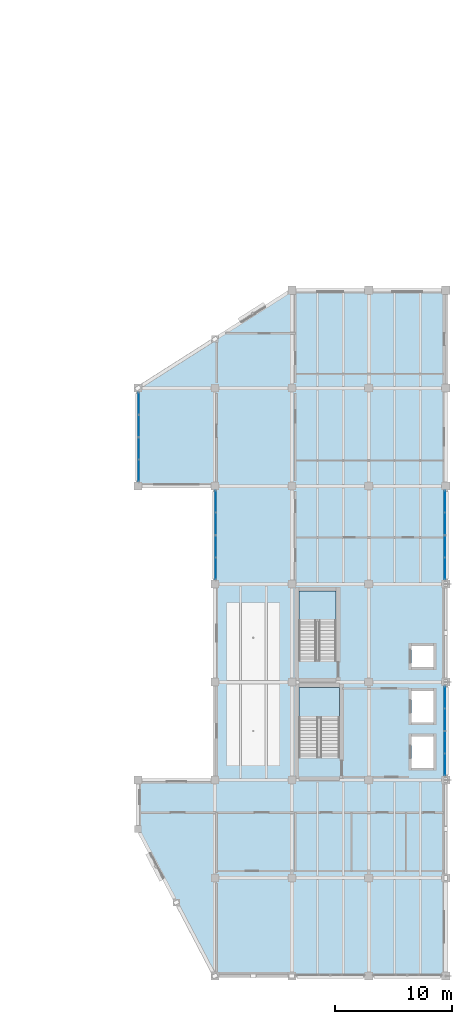
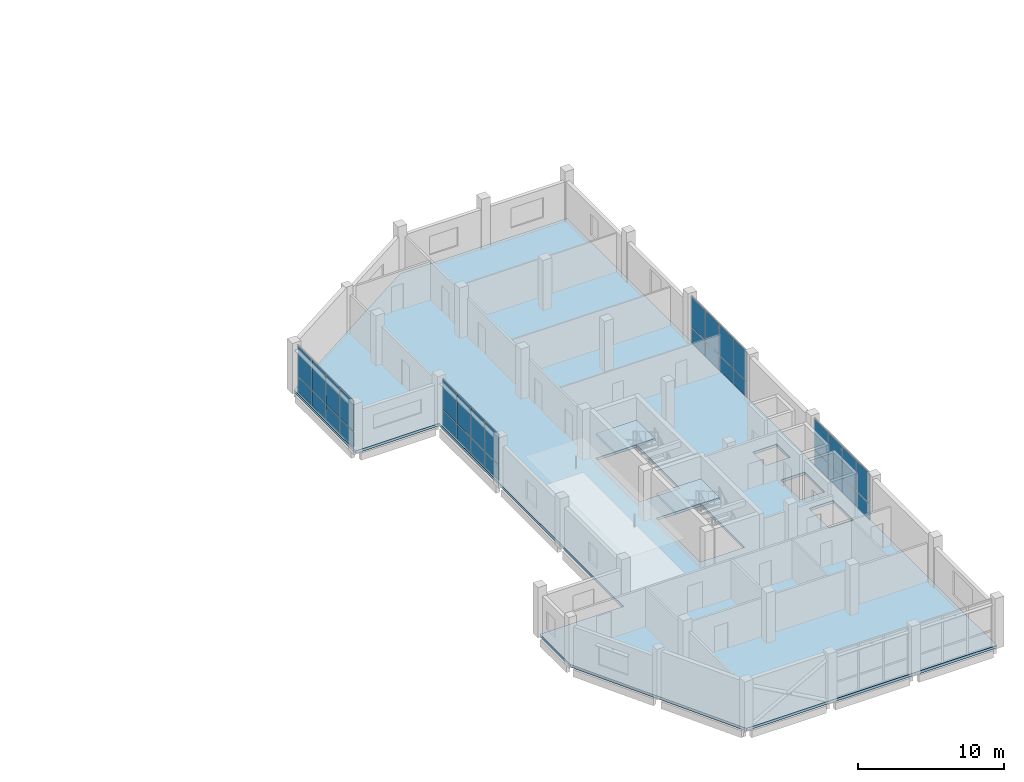
# One storey, part 7 of 19: 32 plates, 3 slabs, 6 elements without a shape of their own.
"""IFC4 building model written with IfcOpenShell, lengths in metres."""

from ifc_helpers import new_model, si_unit, direction, frame, origin, origin_2d, place, context, subcontext, project, spatial, polyline, rectangle, outline, extrude, material, layer, layer_set, type_object, element, aggregate, save


model = new_model("IFC4")

# Units and contexts
model_context = context("Model", 3, precision=1e-05, world=origin(), true_north=direction((0.0, 1.0)))
body_context = subcontext(model_context, "Body", "Model", "MODEL_VIEW")
ifc_project = project(units=[si_unit("LENGTHUNIT", "METRE"), si_unit("AREAUNIT", "SQUARE_METRE"), si_unit("VOLUMEUNIT", "CUBIC_METRE"), si_unit("PLANEANGLEUNIT", "RADIAN"), si_unit("MASSUNIT", "GRAM", prefix="KILO")], contexts=[model_context])

# Site, building, storey
site_placement = place(None, origin())
site = spatial("IfcSite", under=ifc_project, at=site_placement, CompositionType="ELEMENT")
building_placement = place(site_placement, origin())
building = spatial("IfcBuilding", under=site, at=building_placement, Name="Qaldarim Faculty of Natural and Applied Sciences", CompositionType="ELEMENT")
storey_placement = place(building_placement, frame((0.0, 0.0, 27.0)))
storey = spatial("IfcBuildingStorey", under=building, at=storey_placement, Name="L06", CompositionType="ELEMENT", Elevation=27.0)

# Slab
ifc_material_1 = material(Name="Concrete C40/50", Category="concrete")
ifc_layer_1 = layer(ifc_material_1, 0.219970703125)
ifc_layer_set_1 = layer_set([ifc_layer_1], Name="Concrete C40/50")
slab_type_1 = type_object("IfcSlabType", Name="ResearchWingSlab-220", PredefinedType="FLOOR", material=ifc_layer_set_1)
slab_1_placement = place(storey_placement, frame((0.0, 0.0, -0.219970703125)))
element("IfcSlab", 1, at=slab_1_placement, inside=storey, type_object=slab_type_1, Name="Floor slab L06 V5", PredefinedType="FLOOR", context=body_context, shape_type="SweptSolid", body=[
    extrude(outline(polyline([(158.39990234375, 0.0), (178.199951171875, 0.0), (178.199951171875, 58.800048828125), (165.0, 58.800048828125), (151.800048828125, 50.39990234375), (151.800048828125, 42.0), (158.39990234375, 42.0), (158.39990234375, 16.800048828125), (151.800048828125, 16.800048828125), (151.800048828125, 12.60009765625), (158.39990234375, 0.0)]), holes=[polyline([(169.10009765625, 18.764892578125), (169.10009765625, 24.77490234375), (165.60009765625, 24.77490234375), (165.60009765625, 18.764892578125), (169.10009765625, 18.764892578125)]), polyline([(168.800048828125, 27.06494140625), (168.800048828125, 33.02490234375), (165.60009765625, 33.02490234375), (165.60009765625, 27.06494140625), (168.800048828125, 27.06494140625)]), polyline([(175.25, 17.85009765625), (177.14990234375, 17.85009765625), (177.14990234375, 20.550048828125), (175.25, 20.550048828125), (175.25, 17.85009765625)]), polyline([(175.25, 21.75), (177.14990234375, 21.75), (177.14990234375, 24.449951171875), (175.25, 24.449951171875), (175.25, 21.75)]), polyline([(175.25, 26.5), (177.14990234375, 26.5), (177.14990234375, 28.300048828125), (175.25, 28.300048828125), (175.25, 26.5)])]), origin(), (0.0, 0.0, 1.0), 0.219970703125),
])

# Stair, slab
stair_type_1 = type_object("IfcStairType", Name="DoglegStair-W1650-H4200-26R", PredefinedType="HALF_TURN_STAIR", material=ifc_material_1)
stair_1_placement = place(storey_placement, origin())
stair_1 = element("IfcStair", 2, at=stair_1_placement, inside=storey, type_object=stair_type_1, Name="Enclosed exit stair ST-A1 L06", PredefinedType="HALF_TURN_STAIR")
ifc_layer_2 = layer(ifc_material_1, 0.2099609375)
ifc_layer_set_2 = layer_set([ifc_layer_2], Name="Concrete C40/50")
slab_type_2 = type_object("IfcSlabType", Name="StairLandingSlab-210", PredefinedType="LANDING", material=ifc_layer_set_2)
slab_2_placement = place(storey_placement, frame((0.0, 0.0, 1.889892578125)))
slab_2 = element("IfcSlab", 3, at=slab_2_placement, type_object=slab_type_2, Name="ST-A1 L06 half-landing 1", PredefinedType="LANDING", context=body_context, shape_type="SweptSolid", body=[
    extrude(outline(polyline([(169.10009765625, 22.155029296875), (169.10009765625, 24.75), (165.60009765625, 24.75), (165.60009765625, 22.155029296875), (169.10009765625, 22.155029296875)])), origin(), (0.0, 0.0, 1.0), 0.210205078125),
])
aggregate(stair_1, [slab_2])

stair_type_2 = type_object("IfcStairType", Name="DoglegStair-W1500-H4200-26R", PredefinedType="HALF_TURN_STAIR", material=ifc_material_1)
stair_2_placement = place(storey_placement, origin())
stair_2 = element("IfcStair", 4, at=stair_2_placement, inside=storey, type_object=stair_type_2, Name="Enclosed exit stair ST-A2 L06", PredefinedType="HALF_TURN_STAIR")
slab_3_placement = place(storey_placement, frame((0.0, 0.0, 1.889892578125)))
slab_3 = element("IfcSlab", 5, at=slab_3_placement, type_object=slab_type_2, Name="ST-A2 L06 half-landing 1", PredefinedType="LANDING", context=body_context, shape_type="SweptSolid", body=[
    extrude(outline(polyline([(168.800048828125, 30.455078125), (168.800048828125, 33.0), (165.60009765625, 33.0), (165.60009765625, 30.455078125), (168.800048828125, 30.455078125)])), origin(), (0.0, 0.0, 1.0), 0.210205078125),
])
aggregate(stair_2, [slab_3])

# Curtain wall, plates
ifc_material_2 = material(Name="Anodised aluminium AW-6063", Category="aluminium")
curtain_wall_type = type_object("IfcCurtainWallType", Name="CurtainWallSystem-M1800", PredefinedType="USERDEFINED", material=ifc_material_2)
curtain_wall_1_placement = place(storey_placement, origin())
curtain_wall_1 = element("IfcCurtainWall", 6, at=curtain_wall_1_placement, inside=storey, type_object=curtain_wall_type, Name="Curtain wall CW-L06-W-X24Y06", ObjectType="UNITISED FACADE", PredefinedType="USERDEFINED")
ifc_material_3 = material(Name="Insulated low-e double glazing", Category="glass")
ifc_layer_3 = layer(ifc_material_3, 0.028076171875)
ifc_layer_set_3 = layer_set([ifc_layer_3], Name="Insulated low-e double glazing")
plate_type = type_object("IfcPlateType", Name="VisionGlazingPanel-28", PredefinedType="CURTAIN_PANEL", material=ifc_layer_set_3)
plate_1_placement = place(storey_placement, frame((151.8798828125, 49.076416015625, 0.06005859375), z_axis=(0.0, 0.0, 1.0), x_axis=(0.0, -1.0, 0.0)))
plate_1 = element("IfcPlate", 7, at=plate_1_placement, type_object=plate_type, Name="Glazed panel 1-1 of CW-L06-W-X24Y06", PredefinedType="CURTAIN_PANEL", context=body_context, shape_type="SweptSolid", body=[
    extrude(rectangle(XDim=1.83740234375, YDim=0.028076171875, at=origin_2d()), origin(), (0.0, 0.0, 1.0), 1.260009765625),
])
plate_2_placement = place(storey_placement, frame((151.8798828125, 49.076416015625, 1.3798828125), z_axis=(0.0, 0.0, 1.0), x_axis=(0.0, -1.0, 0.0)))
plate_2 = element("IfcPlate", 8, at=plate_2_placement, type_object=plate_type, Name="Glazed panel 1-2 of CW-L06-W-X24Y06", PredefinedType="CURTAIN_PANEL", context=body_context, shape_type="SweptSolid", body=[
    extrude(rectangle(XDim=1.83740234375, YDim=0.028076171875, at=origin_2d()), origin(), (0.0, 0.0, 1.0), 2.5400390625),
])
plate_3_placement = place(storey_placement, frame((151.8798828125, 47.163818359375, 0.06005859375), z_axis=(0.0, 0.0, 1.0), x_axis=(0.0, -1.0, 0.0)))
plate_3 = element("IfcPlate", 9, at=plate_3_placement, type_object=plate_type, Name="Glazed panel 2-1 of CW-L06-W-X24Y06", PredefinedType="CURTAIN_PANEL", context=body_context, shape_type="SweptSolid", body=[
    extrude(rectangle(XDim=1.867431640625, YDim=0.028076171875, at=origin_2d()), origin(), (0.0, 0.0, 1.0), 1.260009765625),
])
plate_4_placement = place(storey_placement, frame((151.8798828125, 47.163818359375, 1.3798828125), z_axis=(0.0, 0.0, 1.0), x_axis=(0.0, -1.0, 0.0)))
plate_4 = element("IfcPlate", 10, at=plate_4_placement, type_object=plate_type, Name="Glazed panel 2-2 of CW-L06-W-X24Y06", PredefinedType="CURTAIN_PANEL", context=body_context, shape_type="SweptSolid", body=[
    extrude(rectangle(XDim=1.867431640625, YDim=0.028076171875, at=origin_2d()), origin(), (0.0, 0.0, 1.0), 2.5400390625),
])
plate_5_placement = place(storey_placement, frame((151.8798828125, 45.236083984375, 0.06005859375), z_axis=(0.0, 0.0, 1.0), x_axis=(0.0, -1.0, 0.0)))
plate_5 = element("IfcPlate", 11, at=plate_5_placement, type_object=plate_type, Name="Glazed panel 3-1 of CW-L06-W-X24Y06", PredefinedType="CURTAIN_PANEL", context=body_context, shape_type="SweptSolid", body=[
    extrude(rectangle(XDim=1.867431640625, YDim=0.028076171875, at=origin_2d()), origin(), (0.0, 0.0, 1.0), 1.260009765625),
])
plate_6_placement = place(storey_placement, frame((151.8798828125, 45.236083984375, 1.3798828125), z_axis=(0.0, 0.0, 1.0), x_axis=(0.0, -1.0, 0.0)))
plate_6 = element("IfcPlate", 12, at=plate_6_placement, type_object=plate_type, Name="Glazed panel 3-2 of CW-L06-W-X24Y06", PredefinedType="CURTAIN_PANEL", context=body_context, shape_type="SweptSolid", body=[
    extrude(rectangle(XDim=1.867431640625, YDim=0.028076171875, at=origin_2d()), origin(), (0.0, 0.0, 1.0), 2.5400390625),
])
plate_7_placement = place(storey_placement, frame((151.8798828125, 43.32373046875, 0.06005859375), z_axis=(0.0, 0.0, 1.0), x_axis=(0.0, -1.0, 0.0)))
plate_7 = element("IfcPlate", 13, at=plate_7_placement, type_object=plate_type, Name="Glazed panel 4-1 of CW-L06-W-X24Y06", PredefinedType="CURTAIN_PANEL", context=body_context, shape_type="SweptSolid", body=[
    extrude(rectangle(XDim=1.83740234375, YDim=0.028076171875, at=origin_2d()), origin(), (0.0, 0.0, 1.0), 1.260009765625),
])
plate_8_placement = place(storey_placement, frame((151.8798828125, 43.32373046875, 1.3798828125), z_axis=(0.0, 0.0, 1.0), x_axis=(0.0, -1.0, 0.0)))
plate_8 = element("IfcPlate", 14, at=plate_8_placement, type_object=plate_type, Name="Glazed panel 4-2 of CW-L06-W-X24Y06", PredefinedType="CURTAIN_PANEL", context=body_context, shape_type="SweptSolid", body=[
    extrude(rectangle(XDim=1.83740234375, YDim=0.028076171875, at=origin_2d()), origin(), (0.0, 0.0, 1.0), 2.5400390625),
])
aggregate(curtain_wall_1, [plate_1, plate_2, plate_3, plate_4, plate_5, plate_6, plate_7, plate_8])

curtain_wall_2_placement = place(storey_placement, origin())
curtain_wall_2 = element("IfcCurtainWall", 15, at=curtain_wall_2_placement, inside=storey, type_object=curtain_wall_type, Name="Curtain wall CW-L06-W-X25Y05", ObjectType="UNITISED FACADE", PredefinedType="USERDEFINED")
plate_9_placement = place(storey_placement, frame((158.47998046875, 40.67626953125, 0.06005859375), z_axis=(0.0, 0.0, 1.0), x_axis=(0.0, -1.0, 0.0)))
plate_9 = element("IfcPlate", 16, at=plate_9_placement, type_object=plate_type, Name="Glazed panel 1-1 of CW-L06-W-X25Y05", PredefinedType="CURTAIN_PANEL", context=body_context, shape_type="SweptSolid", body=[
    extrude(rectangle(XDim=1.83740234375, YDim=0.028076171875, at=origin_2d()), origin(), (0.0, 0.0, 1.0), 1.260009765625),
])
plate_10_placement = place(storey_placement, frame((158.47998046875, 40.67626953125, 1.3798828125), z_axis=(0.0, 0.0, 1.0), x_axis=(0.0, -1.0, 0.0)))
plate_10 = element("IfcPlate", 17, at=plate_10_placement, type_object=plate_type, Name="Glazed panel 1-2 of CW-L06-W-X25Y05", PredefinedType="CURTAIN_PANEL", context=body_context, shape_type="SweptSolid", body=[
    extrude(rectangle(XDim=1.83740234375, YDim=0.028076171875, at=origin_2d()), origin(), (0.0, 0.0, 1.0), 2.5400390625),
])
plate_11_placement = place(storey_placement, frame((158.47998046875, 38.763916015625, 0.06005859375), z_axis=(0.0, 0.0, 1.0), x_axis=(0.0, -1.0, 0.0)))
plate_11 = element("IfcPlate", 18, at=plate_11_placement, type_object=plate_type, Name="Glazed panel 2-1 of CW-L06-W-X25Y05", PredefinedType="CURTAIN_PANEL", context=body_context, shape_type="SweptSolid", body=[
    extrude(rectangle(XDim=1.867431640625, YDim=0.028076171875, at=origin_2d()), origin(), (0.0, 0.0, 1.0), 1.260009765625),
])
plate_12_placement = place(storey_placement, frame((158.47998046875, 38.763916015625, 1.3798828125), z_axis=(0.0, 0.0, 1.0), x_axis=(0.0, -1.0, 0.0)))
plate_12 = element("IfcPlate", 19, at=plate_12_placement, type_object=plate_type, Name="Glazed panel 2-2 of CW-L06-W-X25Y05", PredefinedType="CURTAIN_PANEL", context=body_context, shape_type="SweptSolid", body=[
    extrude(rectangle(XDim=1.867431640625, YDim=0.028076171875, at=origin_2d()), origin(), (0.0, 0.0, 1.0), 2.5400390625),
])
plate_13_placement = place(storey_placement, frame((158.47998046875, 36.836181640625, 0.06005859375), z_axis=(0.0, 0.0, 1.0), x_axis=(0.0, -1.0, 0.0)))
plate_13 = element("IfcPlate", 20, at=plate_13_placement, type_object=plate_type, Name="Glazed panel 3-1 of CW-L06-W-X25Y05", PredefinedType="CURTAIN_PANEL", context=body_context, shape_type="SweptSolid", body=[
    extrude(rectangle(XDim=1.867431640625, YDim=0.028076171875, at=origin_2d()), origin(), (0.0, 0.0, 1.0), 1.260009765625),
])
plate_14_placement = place(storey_placement, frame((158.47998046875, 36.836181640625, 1.3798828125), z_axis=(0.0, 0.0, 1.0), x_axis=(0.0, -1.0, 0.0)))
plate_14 = element("IfcPlate", 21, at=plate_14_placement, type_object=plate_type, Name="Glazed panel 3-2 of CW-L06-W-X25Y05", PredefinedType="CURTAIN_PANEL", context=body_context, shape_type="SweptSolid", body=[
    extrude(rectangle(XDim=1.867431640625, YDim=0.028076171875, at=origin_2d()), origin(), (0.0, 0.0, 1.0), 2.5400390625),
])
plate_15_placement = place(storey_placement, frame((158.47998046875, 34.923583984375, 0.06005859375), z_axis=(0.0, 0.0, 1.0), x_axis=(0.0, -1.0, 0.0)))
plate_15 = element("IfcPlate", 22, at=plate_15_placement, type_object=plate_type, Name="Glazed panel 4-1 of CW-L06-W-X25Y05", PredefinedType="CURTAIN_PANEL", context=body_context, shape_type="SweptSolid", body=[
    extrude(rectangle(XDim=1.83740234375, YDim=0.028076171875, at=origin_2d()), origin(), (0.0, 0.0, 1.0), 1.260009765625),
])
plate_16_placement = place(storey_placement, frame((158.47998046875, 34.923583984375, 1.3798828125), z_axis=(0.0, 0.0, 1.0), x_axis=(0.0, -1.0, 0.0)))
plate_16 = element("IfcPlate", 23, at=plate_16_placement, type_object=plate_type, Name="Glazed panel 4-2 of CW-L06-W-X25Y05", PredefinedType="CURTAIN_PANEL", context=body_context, shape_type="SweptSolid", body=[
    extrude(rectangle(XDim=1.83740234375, YDim=0.028076171875, at=origin_2d()), origin(), (0.0, 0.0, 1.0), 2.5400390625),
])
aggregate(curtain_wall_2, [plate_9, plate_10, plate_11, plate_12, plate_13, plate_14, plate_15, plate_16])

curtain_wall_3_placement = place(storey_placement, origin())
curtain_wall_3 = element("IfcCurtainWall", 24, at=curtain_wall_3_placement, inside=storey, type_object=curtain_wall_type, Name="Curtain wall CW-L06-E-X27Y03", ObjectType="UNITISED FACADE", PredefinedType="USERDEFINED")
plate_17_placement = place(storey_placement, frame((178.1201171875, 18.123779296875, 0.06005859375), z_axis=(0.0, 0.0, 1.0), x_axis=(0.0, 1.0, 0.0)))
plate_17 = element("IfcPlate", 25, at=plate_17_placement, type_object=plate_type, Name="Glazed panel 1-1 of CW-L06-E-X27Y03", PredefinedType="CURTAIN_PANEL", context=body_context, shape_type="SweptSolid", body=[
    extrude(rectangle(XDim=1.83740234375, YDim=0.028076171875, at=origin_2d()), origin(), (0.0, 0.0, 1.0), 1.260009765625),
])
plate_18_placement = place(storey_placement, frame((178.1201171875, 18.123779296875, 1.3798828125), z_axis=(0.0, 0.0, 1.0), x_axis=(0.0, 1.0, 0.0)))
plate_18 = element("IfcPlate", 26, at=plate_18_placement, type_object=plate_type, Name="Glazed panel 1-2 of CW-L06-E-X27Y03", PredefinedType="CURTAIN_PANEL", context=body_context, shape_type="SweptSolid", body=[
    extrude(rectangle(XDim=1.83740234375, YDim=0.028076171875, at=origin_2d()), origin(), (0.0, 0.0, 1.0), 2.5400390625),
])
plate_19_placement = place(storey_placement, frame((178.1201171875, 20.0361328125, 0.06005859375), z_axis=(0.0, 0.0, 1.0), x_axis=(0.0, 1.0, 0.0)))
plate_19 = element("IfcPlate", 27, at=plate_19_placement, type_object=plate_type, Name="Glazed panel 2-1 of CW-L06-E-X27Y03", PredefinedType="CURTAIN_PANEL", context=body_context, shape_type="SweptSolid", body=[
    extrude(rectangle(XDim=1.867431640625, YDim=0.028076171875, at=origin_2d()), origin(), (0.0, 0.0, 1.0), 1.260009765625),
])
plate_20_placement = place(storey_placement, frame((178.1201171875, 20.0361328125, 1.3798828125), z_axis=(0.0, 0.0, 1.0), x_axis=(0.0, 1.0, 0.0)))
plate_20 = element("IfcPlate", 28, at=plate_20_placement, type_object=plate_type, Name="Glazed panel 2-2 of CW-L06-E-X27Y03", PredefinedType="CURTAIN_PANEL", context=body_context, shape_type="SweptSolid", body=[
    extrude(rectangle(XDim=1.867431640625, YDim=0.028076171875, at=origin_2d()), origin(), (0.0, 0.0, 1.0), 2.5400390625),
])
plate_21_placement = place(storey_placement, frame((178.1201171875, 21.9638671875, 0.06005859375), z_axis=(0.0, 0.0, 1.0), x_axis=(0.0, 1.0, 0.0)))
plate_21 = element("IfcPlate", 29, at=plate_21_placement, type_object=plate_type, Name="Glazed panel 3-1 of CW-L06-E-X27Y03", PredefinedType="CURTAIN_PANEL", context=body_context, shape_type="SweptSolid", body=[
    extrude(rectangle(XDim=1.867431640625, YDim=0.028076171875, at=origin_2d()), origin(), (0.0, 0.0, 1.0), 1.260009765625),
])
plate_22_placement = place(storey_placement, frame((178.1201171875, 21.9638671875, 1.3798828125), z_axis=(0.0, 0.0, 1.0), x_axis=(0.0, 1.0, 0.0)))
plate_22 = element("IfcPlate", 30, at=plate_22_placement, type_object=plate_type, Name="Glazed panel 3-2 of CW-L06-E-X27Y03", PredefinedType="CURTAIN_PANEL", context=body_context, shape_type="SweptSolid", body=[
    extrude(rectangle(XDim=1.867431640625, YDim=0.028076171875, at=origin_2d()), origin(), (0.0, 0.0, 1.0), 2.5400390625),
])
plate_23_placement = place(storey_placement, frame((178.1201171875, 23.876220703125, 0.06005859375), z_axis=(0.0, 0.0, 1.0), x_axis=(0.0, 1.0, 0.0)))
plate_23 = element("IfcPlate", 31, at=plate_23_placement, type_object=plate_type, Name="Glazed panel 4-1 of CW-L06-E-X27Y03", PredefinedType="CURTAIN_PANEL", context=body_context, shape_type="SweptSolid", body=[
    extrude(rectangle(XDim=1.83740234375, YDim=0.028076171875, at=origin_2d()), origin(), (0.0, 0.0, 1.0), 1.260009765625),
])
plate_24_placement = place(storey_placement, frame((178.1201171875, 23.876220703125, 1.3798828125), z_axis=(0.0, 0.0, 1.0), x_axis=(0.0, 1.0, 0.0)))
plate_24 = element("IfcPlate", 32, at=plate_24_placement, type_object=plate_type, Name="Glazed panel 4-2 of CW-L06-E-X27Y03", PredefinedType="CURTAIN_PANEL", context=body_context, shape_type="SweptSolid", body=[
    extrude(rectangle(XDim=1.83740234375, YDim=0.028076171875, at=origin_2d()), origin(), (0.0, 0.0, 1.0), 2.5400390625),
])
aggregate(curtain_wall_3, [plate_17, plate_18, plate_19, plate_20, plate_21, plate_22, plate_23, plate_24])

curtain_wall_4_placement = place(storey_placement, origin())
curtain_wall_4 = element("IfcCurtainWall", 33, at=curtain_wall_4_placement, inside=storey, type_object=curtain_wall_type, Name="Curtain wall CW-L06-E-X27Y05", ObjectType="UNITISED FACADE", PredefinedType="USERDEFINED")
plate_25_placement = place(storey_placement, frame((178.1201171875, 34.923583984375, 0.06005859375), z_axis=(0.0, 0.0, 1.0), x_axis=(0.0, 1.0, 0.0)))
plate_25 = element("IfcPlate", 34, at=plate_25_placement, type_object=plate_type, Name="Glazed panel 1-1 of CW-L06-E-X27Y05", PredefinedType="CURTAIN_PANEL", context=body_context, shape_type="SweptSolid", body=[
    extrude(rectangle(XDim=1.83740234375, YDim=0.028076171875, at=origin_2d()), origin(), (0.0, 0.0, 1.0), 1.260009765625),
])
plate_26_placement = place(storey_placement, frame((178.1201171875, 34.923583984375, 1.3798828125), z_axis=(0.0, 0.0, 1.0), x_axis=(0.0, 1.0, 0.0)))
plate_26 = element("IfcPlate", 35, at=plate_26_placement, type_object=plate_type, Name="Glazed panel 1-2 of CW-L06-E-X27Y05", PredefinedType="CURTAIN_PANEL", context=body_context, shape_type="SweptSolid", body=[
    extrude(rectangle(XDim=1.83740234375, YDim=0.028076171875, at=origin_2d()), origin(), (0.0, 0.0, 1.0), 2.5400390625),
])
plate_27_placement = place(storey_placement, frame((178.1201171875, 36.836181640625, 0.06005859375), z_axis=(0.0, 0.0, 1.0), x_axis=(0.0, 1.0, 0.0)))
plate_27 = element("IfcPlate", 36, at=plate_27_placement, type_object=plate_type, Name="Glazed panel 2-1 of CW-L06-E-X27Y05", PredefinedType="CURTAIN_PANEL", context=body_context, shape_type="SweptSolid", body=[
    extrude(rectangle(XDim=1.867431640625, YDim=0.028076171875, at=origin_2d()), origin(), (0.0, 0.0, 1.0), 1.260009765625),
])
plate_28_placement = place(storey_placement, frame((178.1201171875, 36.836181640625, 1.3798828125), z_axis=(0.0, 0.0, 1.0), x_axis=(0.0, 1.0, 0.0)))
plate_28 = element("IfcPlate", 37, at=plate_28_placement, type_object=plate_type, Name="Glazed panel 2-2 of CW-L06-E-X27Y05", PredefinedType="CURTAIN_PANEL", context=body_context, shape_type="SweptSolid", body=[
    extrude(rectangle(XDim=1.867431640625, YDim=0.028076171875, at=origin_2d()), origin(), (0.0, 0.0, 1.0), 2.5400390625),
])
plate_29_placement = place(storey_placement, frame((178.1201171875, 38.763916015625, 0.06005859375), z_axis=(0.0, 0.0, 1.0), x_axis=(0.0, 1.0, 0.0)))
plate_29 = element("IfcPlate", 38, at=plate_29_placement, type_object=plate_type, Name="Glazed panel 3-1 of CW-L06-E-X27Y05", PredefinedType="CURTAIN_PANEL", context=body_context, shape_type="SweptSolid", body=[
    extrude(rectangle(XDim=1.867431640625, YDim=0.028076171875, at=origin_2d()), origin(), (0.0, 0.0, 1.0), 1.260009765625),
])
plate_30_placement = place(storey_placement, frame((178.1201171875, 38.763916015625, 1.3798828125), z_axis=(0.0, 0.0, 1.0), x_axis=(0.0, 1.0, 0.0)))
plate_30 = element("IfcPlate", 39, at=plate_30_placement, type_object=plate_type, Name="Glazed panel 3-2 of CW-L06-E-X27Y05", PredefinedType="CURTAIN_PANEL", context=body_context, shape_type="SweptSolid", body=[
    extrude(rectangle(XDim=1.867431640625, YDim=0.028076171875, at=origin_2d()), origin(), (0.0, 0.0, 1.0), 2.5400390625),
])
plate_31_placement = place(storey_placement, frame((178.1201171875, 40.67626953125, 0.06005859375), z_axis=(0.0, 0.0, 1.0), x_axis=(0.0, 1.0, 0.0)))
plate_31 = element("IfcPlate", 40, at=plate_31_placement, type_object=plate_type, Name="Glazed panel 4-1 of CW-L06-E-X27Y05", PredefinedType="CURTAIN_PANEL", context=body_context, shape_type="SweptSolid", body=[
    extrude(rectangle(XDim=1.83740234375, YDim=0.028076171875, at=origin_2d()), origin(), (0.0, 0.0, 1.0), 1.260009765625),
])
plate_32_placement = place(storey_placement, frame((178.1201171875, 40.67626953125, 1.3798828125), z_axis=(0.0, 0.0, 1.0), x_axis=(0.0, 1.0, 0.0)))
plate_32 = element("IfcPlate", 41, at=plate_32_placement, type_object=plate_type, Name="Glazed panel 4-2 of CW-L06-E-X27Y05", PredefinedType="CURTAIN_PANEL", context=body_context, shape_type="SweptSolid", body=[
    extrude(rectangle(XDim=1.83740234375, YDim=0.028076171875, at=origin_2d()), origin(), (0.0, 0.0, 1.0), 2.5400390625),
])
aggregate(curtain_wall_4, [plate_25, plate_26, plate_27, plate_28, plate_29, plate_30, plate_31, plate_32])

save(model, "model.ifc")
